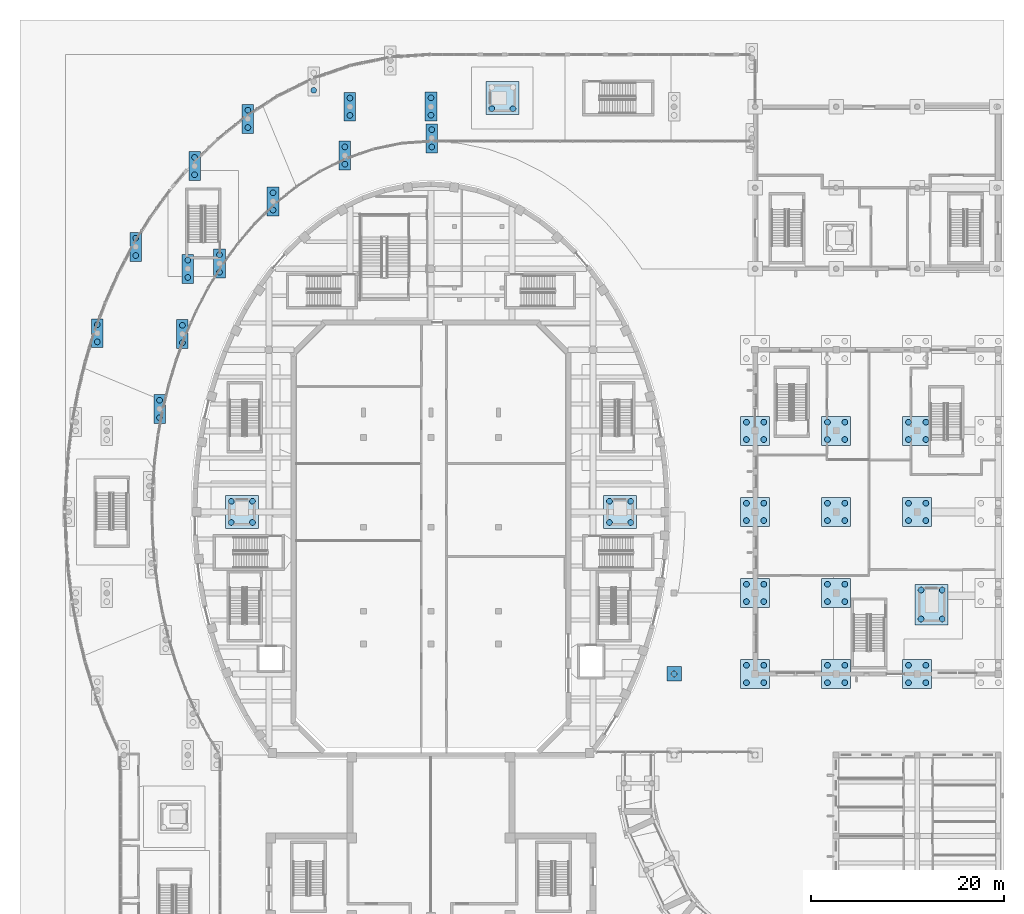
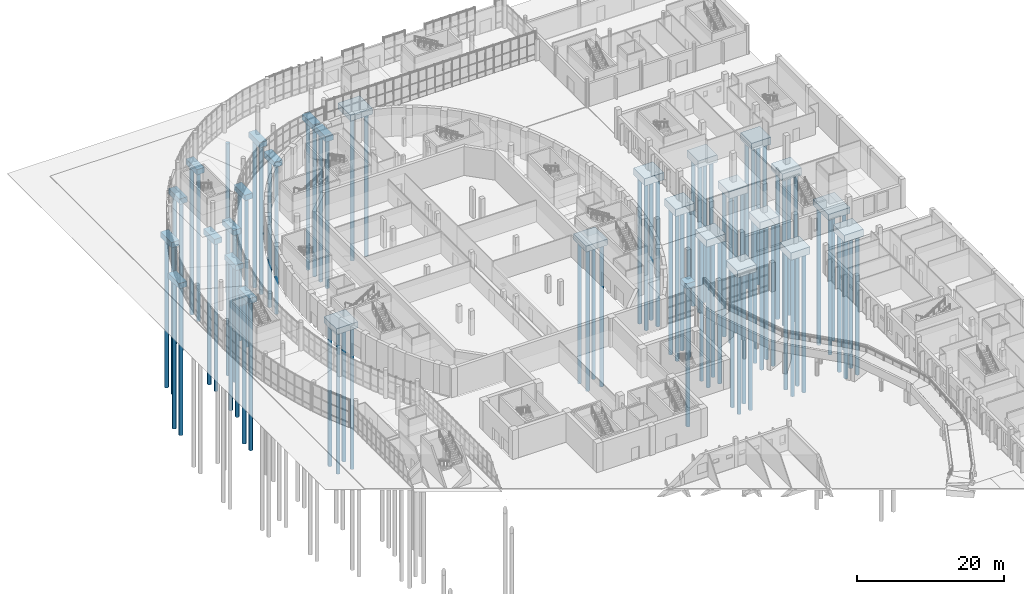
# One storey, part 2 of 110: 86 piles, 29 footings.
"""IFC4 building model written with IfcOpenShell, lengths in metres."""

from ifc_helpers import new_model, si_unit, direction, frame, origin, origin_2d, place, context, subcontext, project, spatial, polyline, circle, outline, extrude, material, material_profile, profile_set, type_object, element, save


model = new_model("IFC4")

# Units and contexts
model_context = context("Model", 3, precision=1e-05, world=origin(), true_north=direction((0.0, 1.0)))
body_context = subcontext(model_context, "Body", "Model", "MODEL_VIEW")
ifc_project = project(units=[si_unit("LENGTHUNIT", "METRE"), si_unit("AREAUNIT", "SQUARE_METRE"), si_unit("VOLUMEUNIT", "CUBIC_METRE"), si_unit("PLANEANGLEUNIT", "RADIAN"), si_unit("MASSUNIT", "GRAM", prefix="KILO")], contexts=[model_context])

# Site, building, storey
site_placement = place(None, origin())
site = spatial("IfcSite", under=ifc_project, at=site_placement, CompositionType="ELEMENT")
building_placement = place(site_placement, origin())
building = spatial("IfcBuilding", under=site, at=building_placement, Name="Larchfold Concert Hall", CompositionType="ELEMENT")
storey_placement = place(building_placement, origin())
storey = spatial("IfcBuildingStorey", under=building, at=storey_placement, Name="L00", CompositionType="ELEMENT", Elevation=0.0)

# Piles
ifc_material_1 = material(Name="Concrete C30/37", Category="concrete")
ifc_material_profile = material_profile(ifc_material_1, circle(Radius=0.300048828125, at=origin_2d()))
ifc_profile_set = profile_set([ifc_material_profile], Name="Concrete C30/37")
pile_type = type_object("IfcPileType", Name="Bored pile D600", PredefinedType="BORED", material=ifc_profile_set)
for number, where, z_axis, x_axis, name in (
    (1, (8.01806640625, 102.220947265625, -1.199951171875), (0.0, 0.0, -1.0), (1.0, 0.0, 0.0), "Pile P0009"),
    (2, (8.01806640625, 104.02099609375, -1.199951171875), (0.0, 0.0, -1.0), (1.0, 0.0, 0.0), "Pile P0010"),
    (3, (11.992919921875, 111.176025390625, -1.199951171875), (0.0, 0.0, -1.0), (1.0, 0.0, 0.0), "Pile P0019"),
    (4, (11.992919921875, 112.97607421875, -1.199951171875), (0.0, 0.0, -1.0), (1.0, 0.0, 0.0), "Pile P0020"),
    (5, (14.467041015625, 94.3701171875, -1.199951171875), (0.0, 0.0, -1.0), (1.0, 0.0, 0.0), "Pile P0025"),
    (6, (14.467041015625, 96.169921875, -1.199951171875), (0.0, 0.0, -1.0), (1.0, 0.0, 0.0), "Pile P0026"),
    (7, (16.8359375, 102.137939453125, -1.199951171875), (0.0, 0.0, -1.0), (1.0, 0.0, 0.0), "Pile P0029"),
    (8, (16.8359375, 103.93798828125, -1.199951171875), (0.0, 0.0, -1.0), (1.0, 0.0, 0.0), "Pile P0030"),
    (9, (17.39990234375, 108.89990234375, -1.199951171875), (0.0, 0.0, -1.0), (1.0, 0.0, 0.0), "Pile P0033"),
    (10, (17.39990234375, 110.699951171875, -1.199951171875), (0.0, 0.0, -1.0), (1.0, 0.0, 0.0), "Pile P0034"),
    (11, (18.096923828125, 119.544921875, -1.199951171875), (0.0, 0.0, -1.0), (1.0, 0.0, 0.0), "Pile P0037"),
    (12, (18.096923828125, 121.344970703125, -1.199951171875), (0.0, 0.0, -1.0), (1.0, 0.0, 0.0), "Pile P0038"),
    (13, (20.677978515625, 109.450927734375, -1.199951171875), (0.0, 0.0, -1.0), (1.0, 0.0, 0.0), "Pile P0043"),
    (14, (20.677978515625, 111.2509765625, -1.199951171875), (0.0, 0.0, -1.0), (1.0, 0.0, 0.0), "Pile P0044"),
    (15, (23.62109375, 124.44091796875, -1.199951171875), (0.0, 0.0, -1.0), (1.0, 0.0, 0.0), "Pile P0045"),
    (16, (23.62109375, 126.240966796875, -1.199951171875), (0.0, 0.0, -1.0), (1.0, 0.0, 0.0), "Pile P0046"),
    (17, (26.22900390625, 115.885986328125, -1.199951171875), (0.0, 0.0, -1.0), (1.0, 0.0, 0.0), "Pile P0047"),
    (18, (26.22900390625, 117.68603515625, -1.199951171875), (0.0, 0.0, -1.0), (1.0, 0.0, 0.0), "Pile P0048"),
    (19, (30.443115234375, 128.298095703125, -1.199951171875), (0.0, 0.0, -1.0), (1.0, 0.0, 0.0), "Pile P0049"),
    (20, (33.676025390625, 120.635009765625, -1.199951171875), (0.0, 0.0, -1.0), (1.0, 0.0, 0.0), "Pile P0051"),
    (21, (33.676025390625, 122.43505859375, -1.199951171875), (0.0, 0.0, -1.0), (1.0, 0.0, 0.0), "Pile P0052"),
    (22, (34.199951171875, 125.699951171875, -1.199951171875), (0.0, 0.0, -1.0), (1.0, 0.0, 0.0), "Pile P0053"),
    (23, (34.199951171875, 127.5, -1.199951171875), (0.0, 0.0, -1.0), (1.0, 0.0, 0.0), "Pile P0054"),
    (24, (42.60009765625, 125.72509765625, -1.199951171875), (0.0, 0.0, -1.0), (1.0, 0.0, 0.0), "Pile P0057"),
    (25, (42.60009765625, 127.52490234375, -1.199951171875), (0.0, 0.0, -1.0), (1.0, 0.0, 0.0), "Pile P0058"),
    (26, (42.68408203125, 122.425048828125, -1.199951171875), (0.0, 0.0, -1.0), (1.0, 0.0, 0.0), "Pile P0059"),
    (27, (42.68408203125, 124.22509765625, -1.199951171875), (0.0, 0.0, -1.0), (1.0, 0.0, 0.0), "Pile P0060"),
):
    element("IfcPile", number, at=place(storey_placement, frame(where, z_axis=z_axis, x_axis=x_axis)), inside=storey, type_object=pile_type, Name=name, PredefinedType="BORED", context=body_context, shape_type="SweptSolid", body=[
        extrude(circle(Radius=0.300048828125, at=origin_2d()), origin(), (0.0, 0.0, 1.0), 24.800048828125),
    ])
pile_1_placement = place(storey_placement, frame((67.800048828125, 67.800048828125, -1.10009765625), z_axis=(0.0, 0.0, -1.0), x_axis=(1.0, 0.0, 0.0)))
element("IfcPile", 28, at=pile_1_placement, inside=storey, type_object=pile_type, Name="Pile P0066", PredefinedType="BORED", context=body_context, shape_type="SweptSolid", body=[
    extrude(circle(Radius=0.300048828125, at=origin_2d()), origin(), (0.0, 0.0, 1.0), 23.510009765625),
])
for number, where, z_axis, x_axis, name in (
    (29, (75.300048828125, 66.89990234375, -1.5), (0.0, 0.0, -1.0), (1.0, 0.0, 0.0), "Pile P0076"),
    (30, (75.300048828125, 68.699951171875, -1.5), (0.0, 0.0, -1.0), (1.0, 0.0, 0.0), "Pile P0077"),
    (31, (77.10009765625, 66.89990234375, -1.5), (0.0, 0.0, -1.0), (1.0, 0.0, 0.0), "Pile P0078"),
    (32, (77.10009765625, 68.699951171875, -1.5), (0.0, 0.0, -1.0), (1.0, 0.0, 0.0), "Pile P0079"),
):
    element("IfcPile", number, at=place(storey_placement, frame(where, z_axis=z_axis, x_axis=x_axis)), inside=storey, type_object=pile_type, Name=name, PredefinedType="BORED", context=body_context, shape_type="SweptSolid", body=[
        extrude(circle(Radius=0.300048828125, at=origin_2d()), origin(), (0.0, 0.0, 1.0), 23.10986328125),
    ])
for number, where, z_axis, x_axis, name in (
    (33, (75.300048828125, 75.300048828125, -1.5), (0.0, 0.0, -1.0), (1.0, 0.0, 0.0), "Pile P0080"),
    (34, (75.300048828125, 77.10009765625, -1.5), (0.0, 0.0, -1.0), (1.0, 0.0, 0.0), "Pile P0081"),
    (35, (77.10009765625, 75.300048828125, -1.5), (0.0, 0.0, -1.0), (1.0, 0.0, 0.0), "Pile P0082"),
    (36, (77.10009765625, 77.10009765625, -1.5), (0.0, 0.0, -1.0), (1.0, 0.0, 0.0), "Pile P0083"),
):
    element("IfcPile", number, at=place(storey_placement, frame(where, z_axis=z_axis, x_axis=x_axis)), inside=storey, type_object=pile_type, Name=name, PredefinedType="BORED", context=body_context, shape_type="SweptSolid", body=[
        extrude(circle(Radius=0.300048828125, at=origin_2d()), origin(), (0.0, 0.0, 1.0), 23.804931640625),
    ])
for number, where, z_axis, x_axis, name in (
    (37, (75.300048828125, 83.699951171875, -1.5), (0.0, 0.0, -1.0), (1.0, 0.0, 0.0), "Pile P0084"),
    (38, (75.300048828125, 85.5, -1.5), (0.0, 0.0, -1.0), (1.0, 0.0, 0.0), "Pile P0085"),
    (39, (77.10009765625, 83.699951171875, -1.5), (0.0, 0.0, -1.0), (1.0, 0.0, 0.0), "Pile P0086"),
    (40, (77.10009765625, 85.5, -1.5), (0.0, 0.0, -1.0), (1.0, 0.0, 0.0), "Pile P0087"),
    (41, (75.300048828125, 92.10009765625, -1.5), (0.0, 0.0, -1.0), (1.0, 0.0, 0.0), "Pile P0088"),
    (42, (75.300048828125, 93.89990234375, -1.5), (0.0, 0.0, -1.0), (1.0, 0.0, 0.0), "Pile P0089"),
    (43, (77.10009765625, 92.10009765625, -1.5), (0.0, 0.0, -1.0), (1.0, 0.0, 0.0), "Pile P0090"),
    (44, (77.10009765625, 93.89990234375, -1.5), (0.0, 0.0, -1.0), (1.0, 0.0, 0.0), "Pile P0091"),
):
    element("IfcPile", number, at=place(storey_placement, frame(where, z_axis=z_axis, x_axis=x_axis)), inside=storey, type_object=pile_type, Name=name, PredefinedType="BORED", context=body_context, shape_type="SweptSolid", body=[
        extrude(circle(Radius=0.300048828125, at=origin_2d()), origin(), (0.0, 0.0, 1.0), 24.5),
    ])
for number, where, z_axis, x_axis, name in (
    (45, (83.699951171875, 66.89990234375, -1.5), (0.0, 0.0, -1.0), (1.0, 0.0, 0.0), "Pile P0101"),
    (46, (83.699951171875, 68.699951171875, -1.5), (0.0, 0.0, -1.0), (1.0, 0.0, 0.0), "Pile P0102"),
    (47, (85.5, 66.89990234375, -1.5), (0.0, 0.0, -1.0), (1.0, 0.0, 0.0), "Pile P0103"),
    (48, (85.5, 68.699951171875, -1.5), (0.0, 0.0, -1.0), (1.0, 0.0, 0.0), "Pile P0104"),
):
    element("IfcPile", number, at=place(storey_placement, frame(where, z_axis=z_axis, x_axis=x_axis)), inside=storey, type_object=pile_type, Name=name, PredefinedType="BORED", context=body_context, shape_type="SweptSolid", body=[
        extrude(circle(Radius=0.300048828125, at=origin_2d()), origin(), (0.0, 0.0, 1.0), 23.10986328125),
    ])
for number, where, z_axis, x_axis, name in (
    (49, (83.699951171875, 75.300048828125, -1.5), (0.0, 0.0, -1.0), (1.0, 0.0, 0.0), "Pile P0105"),
    (50, (83.699951171875, 77.10009765625, -1.5), (0.0, 0.0, -1.0), (1.0, 0.0, 0.0), "Pile P0106"),
    (51, (85.5, 75.300048828125, -1.5), (0.0, 0.0, -1.0), (1.0, 0.0, 0.0), "Pile P0107"),
    (52, (85.5, 77.10009765625, -1.5), (0.0, 0.0, -1.0), (1.0, 0.0, 0.0), "Pile P0108"),
):
    element("IfcPile", number, at=place(storey_placement, frame(where, z_axis=z_axis, x_axis=x_axis)), inside=storey, type_object=pile_type, Name=name, PredefinedType="BORED", context=body_context, shape_type="SweptSolid", body=[
        extrude(circle(Radius=0.300048828125, at=origin_2d()), origin(), (0.0, 0.0, 1.0), 23.804931640625),
    ])
for number, where, z_axis, x_axis, name in (
    (53, (83.699951171875, 83.699951171875, -1.5), (0.0, 0.0, -1.0), (1.0, 0.0, 0.0), "Pile P0109"),
    (54, (83.699951171875, 85.5, -1.5), (0.0, 0.0, -1.0), (1.0, 0.0, 0.0), "Pile P0110"),
    (55, (85.5, 83.699951171875, -1.5), (0.0, 0.0, -1.0), (1.0, 0.0, 0.0), "Pile P0111"),
    (56, (85.5, 85.5, -1.5), (0.0, 0.0, -1.0), (1.0, 0.0, 0.0), "Pile P0112"),
    (57, (83.699951171875, 92.10009765625, -1.5), (0.0, 0.0, -1.0), (1.0, 0.0, 0.0), "Pile P0113"),
    (58, (83.699951171875, 93.89990234375, -1.5), (0.0, 0.0, -1.0), (1.0, 0.0, 0.0), "Pile P0114"),
    (59, (85.5, 92.10009765625, -1.5), (0.0, 0.0, -1.0), (1.0, 0.0, 0.0), "Pile P0115"),
    (60, (85.5, 93.89990234375, -1.5), (0.0, 0.0, -1.0), (1.0, 0.0, 0.0), "Pile P0116"),
):
    element("IfcPile", number, at=place(storey_placement, frame(where, z_axis=z_axis, x_axis=x_axis)), inside=storey, type_object=pile_type, Name=name, PredefinedType="BORED", context=body_context, shape_type="SweptSolid", body=[
        extrude(circle(Radius=0.300048828125, at=origin_2d()), origin(), (0.0, 0.0, 1.0), 24.5),
    ])
for number, where, z_axis, x_axis, name in (
    (61, (92.10009765625, 66.89990234375, -1.5), (0.0, 0.0, -1.0), (1.0, 0.0, 0.0), "Pile P0124"),
    (62, (92.10009765625, 68.699951171875, -1.5), (0.0, 0.0, -1.0), (1.0, 0.0, 0.0), "Pile P0125"),
    (63, (93.89990234375, 66.89990234375, -1.5), (0.0, 0.0, -1.0), (1.0, 0.0, 0.0), "Pile P0126"),
    (64, (93.89990234375, 68.699951171875, -1.5), (0.0, 0.0, -1.0), (1.0, 0.0, 0.0), "Pile P0127"),
):
    element("IfcPile", number, at=place(storey_placement, frame(where, z_axis=z_axis, x_axis=x_axis)), inside=storey, type_object=pile_type, Name=name, PredefinedType="BORED", context=body_context, shape_type="SweptSolid", body=[
        extrude(circle(Radius=0.300048828125, at=origin_2d()), origin(), (0.0, 0.0, 1.0), 23.10986328125),
    ])
for number, where, z_axis, x_axis, name in (
    (65, (92.10009765625, 83.699951171875, -1.5), (0.0, 0.0, -1.0), (1.0, 0.0, 0.0), "Pile P0128"),
    (66, (92.10009765625, 85.5, -1.5), (0.0, 0.0, -1.0), (1.0, 0.0, 0.0), "Pile P0129"),
    (67, (93.89990234375, 83.699951171875, -1.5), (0.0, 0.0, -1.0), (1.0, 0.0, 0.0), "Pile P0130"),
    (68, (93.89990234375, 85.5, -1.5), (0.0, 0.0, -1.0), (1.0, 0.0, 0.0), "Pile P0131"),
    (69, (92.10009765625, 92.10009765625, -1.5), (0.0, 0.0, -1.0), (1.0, 0.0, 0.0), "Pile P0132"),
    (70, (92.10009765625, 93.89990234375, -1.5), (0.0, 0.0, -1.0), (1.0, 0.0, 0.0), "Pile P0133"),
    (71, (93.89990234375, 92.10009765625, -1.5), (0.0, 0.0, -1.0), (1.0, 0.0, 0.0), "Pile P0134"),
    (72, (93.89990234375, 93.89990234375, -1.5), (0.0, 0.0, -1.0), (1.0, 0.0, 0.0), "Pile P0135"),
):
    element("IfcPile", number, at=place(storey_placement, frame(where, z_axis=z_axis, x_axis=x_axis)), inside=storey, type_object=pile_type, Name=name, PredefinedType="BORED", context=body_context, shape_type="SweptSolid", body=[
        extrude(circle(Radius=0.300048828125, at=origin_2d()), origin(), (0.0, 0.0, 1.0), 24.5),
    ])
pile_2_placement = place(storey_placement, frame((61.10009765625, 83.5, -2.300048828125), z_axis=(0.0, 0.0, -1.0), x_axis=(1.0, 0.0, 0.0)))
element("IfcPile", 73, at=pile_2_placement, inside=storey, type_object=pile_type, Name="Pile P0166", PredefinedType="BORED", context=body_context, shape_type="SweptSolid", body=[
    extrude(circle(Radius=0.300048828125, at=origin_2d()), origin(), (0.0, 0.0, 1.0), 23.60888671875),
])
pile_3_placement = place(storey_placement, frame((61.10009765625, 85.699951171875, -2.300048828125), z_axis=(0.0, 0.0, -1.0), x_axis=(1.0, 0.0, 0.0)))
element("IfcPile", 74, at=pile_3_placement, inside=storey, type_object=pile_type, Name="Pile P0167", PredefinedType="BORED", context=body_context, shape_type="SweptSolid", body=[
    extrude(circle(Radius=0.300048828125, at=origin_2d()), origin(), (0.0, 0.0, 1.0), 23.699951171875),
])
pile_4_placement = place(storey_placement, frame((63.300048828125, 83.5, -2.300048828125), z_axis=(0.0, 0.0, -1.0), x_axis=(1.0, 0.0, 0.0)))
element("IfcPile", 75, at=pile_4_placement, inside=storey, type_object=pile_type, Name="Pile P0168", PredefinedType="BORED", context=body_context, shape_type="SweptSolid", body=[
    extrude(circle(Radius=0.300048828125, at=origin_2d()), origin(), (0.0, 0.0, 1.0), 23.60888671875),
])
pile_5_placement = place(storey_placement, frame((63.300048828125, 85.699951171875, -2.300048828125), z_axis=(0.0, 0.0, -1.0), x_axis=(1.0, 0.0, 0.0)))
element("IfcPile", 76, at=pile_5_placement, inside=storey, type_object=pile_type, Name="Pile P0169", PredefinedType="BORED", context=body_context, shape_type="SweptSolid", body=[
    extrude(circle(Radius=0.300048828125, at=origin_2d()), origin(), (0.0, 0.0, 1.0), 23.699951171875),
])
pile_6_placement = place(storey_placement, frame((21.900146484375, 83.5, -2.300048828125), z_axis=(0.0, 0.0, -1.0), x_axis=(1.0, 0.0, 0.0)))
element("IfcPile", 77, at=pile_6_placement, inside=storey, type_object=pile_type, Name="Pile P0170", PredefinedType="BORED", context=body_context, shape_type="SweptSolid", body=[
    extrude(circle(Radius=0.300048828125, at=origin_2d()), origin(), (0.0, 0.0, 1.0), 23.60888671875),
])
pile_7_placement = place(storey_placement, frame((21.900146484375, 85.699951171875, -2.300048828125), z_axis=(0.0, 0.0, -1.0), x_axis=(1.0, 0.0, 0.0)))
element("IfcPile", 78, at=pile_7_placement, inside=storey, type_object=pile_type, Name="Pile P0171", PredefinedType="BORED", context=body_context, shape_type="SweptSolid", body=[
    extrude(circle(Radius=0.300048828125, at=origin_2d()), origin(), (0.0, 0.0, 1.0), 23.699951171875),
])
pile_8_placement = place(storey_placement, frame((24.10009765625, 83.5, -2.300048828125), z_axis=(0.0, 0.0, -1.0), x_axis=(1.0, 0.0, 0.0)))
element("IfcPile", 79, at=pile_8_placement, inside=storey, type_object=pile_type, Name="Pile P0172", PredefinedType="BORED", context=body_context, shape_type="SweptSolid", body=[
    extrude(circle(Radius=0.300048828125, at=origin_2d()), origin(), (0.0, 0.0, 1.0), 23.60888671875),
])
pile_9_placement = place(storey_placement, frame((24.10009765625, 85.699951171875, -2.300048828125), z_axis=(0.0, 0.0, -1.0), x_axis=(1.0, 0.0, 0.0)))
element("IfcPile", 80, at=pile_9_placement, inside=storey, type_object=pile_type, Name="Pile P0173", PredefinedType="BORED", context=body_context, shape_type="SweptSolid", body=[
    extrude(circle(Radius=0.300048828125, at=origin_2d()), origin(), (0.0, 0.0, 1.0), 23.699951171875),
])
pile_10_placement = place(storey_placement, frame((93.400146484375, 73.5, -2.300048828125), z_axis=(0.0, 0.0, -1.0), x_axis=(1.0, 0.0, 0.0)))
element("IfcPile", 81, at=pile_10_placement, inside=storey, type_object=pile_type, Name="Pile P0174", PredefinedType="BORED", context=body_context, shape_type="SweptSolid", body=[
    extrude(circle(Radius=0.300048828125, at=origin_2d()), origin(), (0.0, 0.0, 1.0), 22.781494140625),
])
pile_11_placement = place(storey_placement, frame((93.400146484375, 76.5, -2.300048828125), z_axis=(0.0, 0.0, -1.0), x_axis=(1.0, 0.0, 0.0)))
element("IfcPile", 82, at=pile_11_placement, inside=storey, type_object=pile_type, Name="Pile P0175", PredefinedType="BORED", context=body_context, shape_type="SweptSolid", body=[
    extrude(circle(Radius=0.300048828125, at=origin_2d()), origin(), (0.0, 0.0, 1.0), 23.02978515625),
])
pile_12_placement = place(storey_placement, frame((95.60009765625, 73.5, -2.300048828125), z_axis=(0.0, 0.0, -1.0), x_axis=(1.0, 0.0, 0.0)))
element("IfcPile", 83, at=pile_12_placement, inside=storey, type_object=pile_type, Name="Pile P0176", PredefinedType="BORED", context=body_context, shape_type="SweptSolid", body=[
    extrude(circle(Radius=0.300048828125, at=origin_2d()), origin(), (0.0, 0.0, 1.0), 22.781494140625),
])
pile_13_placement = place(storey_placement, frame((95.60009765625, 76.5, -2.300048828125), z_axis=(0.0, 0.0, -1.0), x_axis=(1.0, 0.0, 0.0)))
element("IfcPile", 84, at=pile_13_placement, inside=storey, type_object=pile_type, Name="Pile P0177", PredefinedType="BORED", context=body_context, shape_type="SweptSolid", body=[
    extrude(circle(Radius=0.300048828125, at=origin_2d()), origin(), (0.0, 0.0, 1.0), 23.02978515625),
])
for number, where, z_axis, x_axis, name in (
    (85, (48.900146484375, 126.400146484375, -2.300048828125), (0.0, 0.0, -1.0), (1.0, 0.0, 0.0), "Pile P0186"),
    (86, (51.10009765625, 126.400146484375, -2.300048828125), (0.0, 0.0, -1.0), (1.0, 0.0, 0.0), "Pile P0188"),
):
    element("IfcPile", number, at=place(storey_placement, frame(where, z_axis=z_axis, x_axis=x_axis)), inside=storey, type_object=pile_type, Name=name, PredefinedType="BORED", context=body_context, shape_type="SweptSolid", body=[
        extrude(circle(Radius=0.300048828125, at=origin_2d()), origin(), (0.0, 0.0, 1.0), 23.699951171875),
    ])

# Footings
ifc_material_2 = material(Name="Concrete C30/37", Category="concrete")
footing_type_1 = type_object("IfcFootingType", Name="Pad footing 3400x3400x1000", PredefinedType="PAD_FOOTING", material=ifc_material_2)
footing_1_placement = place(storey_placement, frame((0.0, 0.0, -2.39990234375)))
element("IfcFooting", 87, at=footing_1_placement, inside=storey, type_object=footing_type_1, Name="Pit footing PC0076", PredefinedType="PAD_FOOTING", context=body_context, shape_type="SweptSolid", body=[
    extrude(outline(polyline([(63.900146484375, 82.89990234375), (63.900146484375, 86.300048828125), (60.5, 86.300048828125), (60.5, 82.89990234375), (63.900146484375, 82.89990234375)])), origin(), (0.0, 0.0, 1.0), 1.0),
])
footing_2_placement = place(storey_placement, frame((0.0, 0.0, -2.39990234375)))
element("IfcFooting", 88, at=footing_2_placement, inside=storey, type_object=footing_type_1, Name="Pit footing PC0077", PredefinedType="PAD_FOOTING", context=body_context, shape_type="SweptSolid", body=[
    extrude(outline(polyline([(24.7001953125, 82.89990234375), (24.7001953125, 86.300048828125), (21.300048828125, 86.300048828125), (21.300048828125, 82.89990234375), (24.7001953125, 82.89990234375)])), origin(), (0.0, 0.0, 1.0), 1.0),
])
footing_3_placement = place(storey_placement, frame((0.0, 0.0, -2.39990234375)))
element("IfcFooting", 89, at=footing_3_placement, inside=storey, type_object=footing_type_1, Name="Pit footing PC0081", PredefinedType="PAD_FOOTING", context=body_context, shape_type="SweptSolid", body=[
    extrude(outline(polyline([(51.7001953125, 125.800048828125), (51.7001953125, 129.2001953125), (48.300048828125, 129.2001953125), (48.300048828125, 125.800048828125), (51.7001953125, 125.800048828125)])), origin(), (0.0, 0.0, 1.0), 1.0),
])
ifc_material_3 = material(Name="Concrete C30/37", Category="concrete")
footing_type_2 = type_object("IfcFootingType", Name="Pad footing 3400x4200x1000", PredefinedType="PAD_FOOTING", material=ifc_material_3)
footing_4_placement = place(storey_placement, frame((0.0, 0.0, -2.39990234375)))
element("IfcFooting", 90, at=footing_4_placement, inside=storey, type_object=footing_type_2, Name="Pit footing PC0078", PredefinedType="PAD_FOOTING", context=body_context, shape_type="SweptSolid", body=[
    extrude(outline(polyline([(96.2001953125, 72.89990234375), (96.2001953125, 77.099853515625), (92.800048828125, 77.099853515625), (92.800048828125, 72.89990234375), (96.2001953125, 72.89990234375)])), origin(), (0.0, 0.0, 1.0), 1.0),
])
ifc_material_4 = material(Name="Concrete C30/37", Category="concrete")
footing_type_3 = type_object("IfcFootingType", Name="Pile cap 1200x3000x900", PredefinedType="PILE_CAP", material=ifc_material_4)
footing_5_placement = place(storey_placement, frame((0.0, 0.0, -1.300048828125)))
element("IfcFooting", 91, at=footing_5_placement, inside=storey, type_object=footing_type_3, Name="Pile cap PC0005", PredefinedType="PILE_CAP", context=body_context, shape_type="SweptSolid", body=[
    extrude(outline(polyline([(8.617919921875, 101.62109375), (8.617919921875, 104.62109375), (7.41796875, 104.62109375), (7.41796875, 101.62109375), (8.617919921875, 101.62109375)])), origin(), (0.0, 0.0, 1.0), 0.900146484375),
])
footing_6_placement = place(storey_placement, frame((0.0, 0.0, -1.300048828125)))
element("IfcFooting", 92, at=footing_6_placement, inside=storey, type_object=footing_type_3, Name="Pile cap PC0010", PredefinedType="PILE_CAP", context=body_context, shape_type="SweptSolid", body=[
    extrude(outline(polyline([(12.593017578125, 110.575927734375), (12.593017578125, 113.575927734375), (11.39306640625, 113.575927734375), (11.39306640625, 110.575927734375), (12.593017578125, 110.575927734375)])), origin(), (0.0, 0.0, 1.0), 0.900146484375),
])
footing_7_placement = place(storey_placement, frame((0.0, 0.0, -1.300048828125)))
element("IfcFooting", 93, at=footing_7_placement, inside=storey, type_object=footing_type_3, Name="Pile cap PC0013", PredefinedType="PILE_CAP", context=body_context, shape_type="SweptSolid", body=[
    extrude(outline(polyline([(15.06689453125, 93.77001953125), (15.06689453125, 96.77001953125), (13.866943359375, 96.77001953125), (13.866943359375, 93.77001953125), (15.06689453125, 93.77001953125)])), origin(), (0.0, 0.0, 1.0), 0.900146484375),
])
footing_8_placement = place(storey_placement, frame((0.0, 0.0, -1.300048828125)))
element("IfcFooting", 94, at=footing_8_placement, inside=storey, type_object=footing_type_3, Name="Pile cap PC0015", PredefinedType="PILE_CAP", context=body_context, shape_type="SweptSolid", body=[
    extrude(outline(polyline([(17.43603515625, 101.5380859375), (17.43603515625, 104.5380859375), (16.236083984375, 104.5380859375), (16.236083984375, 101.5380859375), (17.43603515625, 101.5380859375)])), origin(), (0.0, 0.0, 1.0), 0.900146484375),
])
footing_9_placement = place(storey_placement, frame((0.0, 0.0, -1.300048828125)))
element("IfcFooting", 95, at=footing_9_placement, inside=storey, type_object=footing_type_3, Name="Pile cap PC0017", PredefinedType="PILE_CAP", context=body_context, shape_type="SweptSolid", body=[
    extrude(outline(polyline([(18.0, 108.300048828125), (18.0, 111.300048828125), (16.800048828125, 111.300048828125), (16.800048828125, 108.300048828125), (18.0, 108.300048828125)])), origin(), (0.0, 0.0, 1.0), 0.900146484375),
])
footing_10_placement = place(storey_placement, frame((0.0, 0.0, -1.300048828125)))
element("IfcFooting", 96, at=footing_10_placement, inside=storey, type_object=footing_type_3, Name="Pile cap PC0019", PredefinedType="PILE_CAP", context=body_context, shape_type="SweptSolid", body=[
    extrude(outline(polyline([(18.697021484375, 118.945068359375), (18.697021484375, 121.945068359375), (17.4970703125, 121.945068359375), (17.4970703125, 118.945068359375), (18.697021484375, 118.945068359375)])), origin(), (0.0, 0.0, 1.0), 0.900146484375),
])
footing_11_placement = place(storey_placement, frame((0.0, 0.0, -1.300048828125)))
element("IfcFooting", 97, at=footing_11_placement, inside=storey, type_object=footing_type_3, Name="Pile cap PC0022", PredefinedType="PILE_CAP", context=body_context, shape_type="SweptSolid", body=[
    extrude(outline(polyline([(21.278076171875, 108.85107421875), (21.278076171875, 111.85107421875), (20.077880859375, 111.85107421875), (20.077880859375, 108.85107421875), (21.278076171875, 108.85107421875)])), origin(), (0.0, 0.0, 1.0), 0.900146484375),
])
footing_12_placement = place(storey_placement, frame((0.0, 0.0, -1.300048828125)))
element("IfcFooting", 98, at=footing_12_placement, inside=storey, type_object=footing_type_3, Name="Pile cap PC0023", PredefinedType="PILE_CAP", context=body_context, shape_type="SweptSolid", body=[
    extrude(outline(polyline([(24.220947265625, 123.841064453125), (24.220947265625, 126.841064453125), (23.02099609375, 126.841064453125), (23.02099609375, 123.841064453125), (24.220947265625, 123.841064453125)])), origin(), (0.0, 0.0, 1.0), 0.900146484375),
])
footing_13_placement = place(storey_placement, frame((0.0, 0.0, -1.300048828125)))
element("IfcFooting", 99, at=footing_13_placement, inside=storey, type_object=footing_type_3, Name="Pile cap PC0024", PredefinedType="PILE_CAP", context=body_context, shape_type="SweptSolid", body=[
    extrude(outline(polyline([(26.8291015625, 115.285888671875), (26.8291015625, 118.285888671875), (25.62890625, 118.285888671875), (25.62890625, 115.285888671875), (26.8291015625, 115.285888671875)])), origin(), (0.0, 0.0, 1.0), 0.900146484375),
])
footing_14_placement = place(storey_placement, frame((0.0, 0.0, -1.300048828125)))
element("IfcFooting", 100, at=footing_14_placement, inside=storey, type_object=footing_type_3, Name="Pile cap PC0026", PredefinedType="PILE_CAP", context=body_context, shape_type="SweptSolid", body=[
    extrude(outline(polyline([(34.27587890625, 120.034912109375), (34.27587890625, 123.034912109375), (33.075927734375, 123.034912109375), (33.075927734375, 120.034912109375), (34.27587890625, 120.034912109375)])), origin(), (0.0, 0.0, 1.0), 0.900146484375),
])
footing_15_placement = place(storey_placement, frame((0.0, 0.0, -1.300048828125)))
element("IfcFooting", 101, at=footing_15_placement, inside=storey, type_object=footing_type_3, Name="Pile cap PC0027", PredefinedType="PILE_CAP", context=body_context, shape_type="SweptSolid", body=[
    extrude(outline(polyline([(34.800048828125, 125.10009765625), (34.800048828125, 128.10009765625), (33.60009765625, 128.10009765625), (33.60009765625, 125.10009765625), (34.800048828125, 125.10009765625)])), origin(), (0.0, 0.0, 1.0), 0.900146484375),
])
footing_16_placement = place(storey_placement, frame((0.0, 0.0, -1.300048828125)))
element("IfcFooting", 102, at=footing_16_placement, inside=storey, type_object=footing_type_3, Name="Pile cap PC0029", PredefinedType="PILE_CAP", context=body_context, shape_type="SweptSolid", body=[
    extrude(outline(polyline([(43.199951171875, 125.125), (43.199951171875, 128.125), (42.0, 128.125), (42.0, 125.125), (43.199951171875, 125.125)])), origin(), (0.0, 0.0, 1.0), 0.900146484375),
])
footing_17_placement = place(storey_placement, frame((0.0, 0.0, -1.300048828125)))
element("IfcFooting", 103, at=footing_17_placement, inside=storey, type_object=footing_type_3, Name="Pile cap PC0030", PredefinedType="PILE_CAP", context=body_context, shape_type="SweptSolid", body=[
    extrude(outline(polyline([(43.283935546875, 121.824951171875), (43.283935546875, 124.824951171875), (42.083984375, 124.824951171875), (42.083984375, 121.824951171875), (43.283935546875, 121.824951171875)])), origin(), (0.0, 0.0, 1.0), 0.900146484375),
])
ifc_material_5 = material(Name="Concrete C30/37", Category="concrete")
footing_type_4 = type_object("IfcFootingType", Name="Pile cap 1500x1500x800", PredefinedType="PILE_CAP", material=ifc_material_5)
footing_18_placement = place(storey_placement, frame((0.0, 0.0, -1.199951171875)))
element("IfcFooting", 104, at=footing_18_placement, inside=storey, type_object=footing_type_4, Name="Pile cap PC0036", PredefinedType="PILE_CAP", context=body_context, shape_type="SweptSolid", body=[
    extrude(outline(polyline([(68.550048828125, 67.050048828125), (68.550048828125, 68.550048828125), (67.050048828125, 68.550048828125), (67.050048828125, 67.050048828125), (68.550048828125, 67.050048828125)])), origin(), (0.0, 0.0, 1.0), 0.800048828125),
])
ifc_material_6 = material(Name="Concrete C30/37", Category="concrete")
footing_type_5 = type_object("IfcFootingType", Name="Pile cap 3000x3000x1200", PredefinedType="PILE_CAP", material=ifc_material_6)
footing_19_placement = place(storey_placement, frame((0.0, 0.0, -1.60009765625)))
element("IfcFooting", 105, at=footing_19_placement, inside=storey, type_object=footing_type_5, Name="Pile cap PC0043", PredefinedType="PILE_CAP", context=body_context, shape_type="SweptSolid", body=[
    extrude(outline(polyline([(77.699951171875, 66.300048828125), (77.699951171875, 69.300048828125), (74.699951171875, 69.300048828125), (74.699951171875, 66.300048828125), (77.699951171875, 66.300048828125)])), origin(), (0.0, 0.0, 1.0), 1.2001953125),
])
footing_20_placement = place(storey_placement, frame((0.0, 0.0, -1.60009765625)))
element("IfcFooting", 106, at=footing_20_placement, inside=storey, type_object=footing_type_5, Name="Pile cap PC0044", PredefinedType="PILE_CAP", context=body_context, shape_type="SweptSolid", body=[
    extrude(outline(polyline([(77.699951171875, 74.699951171875), (77.699951171875, 77.699951171875), (74.699951171875, 77.699951171875), (74.699951171875, 74.699951171875), (77.699951171875, 74.699951171875)])), origin(), (0.0, 0.0, 1.0), 1.2001953125),
])
footing_21_placement = place(storey_placement, frame((0.0, 0.0, -1.60009765625)))
element("IfcFooting", 107, at=footing_21_placement, inside=storey, type_object=footing_type_5, Name="Pile cap PC0045", PredefinedType="PILE_CAP", context=body_context, shape_type="SweptSolid", body=[
    extrude(outline(polyline([(77.699951171875, 83.10009765625), (77.699951171875, 86.10009765625), (74.699951171875, 86.10009765625), (74.699951171875, 83.10009765625), (77.699951171875, 83.10009765625)])), origin(), (0.0, 0.0, 1.0), 1.2001953125),
])
footing_22_placement = place(storey_placement, frame((0.0, 0.0, -1.60009765625)))
element("IfcFooting", 108, at=footing_22_placement, inside=storey, type_object=footing_type_5, Name="Pile cap PC0046", PredefinedType="PILE_CAP", context=body_context, shape_type="SweptSolid", body=[
    extrude(outline(polyline([(77.699951171875, 91.5), (77.699951171875, 94.5), (74.699951171875, 94.5), (74.699951171875, 91.5), (77.699951171875, 91.5)])), origin(), (0.0, 0.0, 1.0), 1.2001953125),
])
footing_23_placement = place(storey_placement, frame((0.0, 0.0, -1.60009765625)))
element("IfcFooting", 109, at=footing_23_placement, inside=storey, type_object=footing_type_5, Name="Pile cap PC0053", PredefinedType="PILE_CAP", context=body_context, shape_type="SweptSolid", body=[
    extrude(outline(polyline([(86.10009765625, 66.300048828125), (86.10009765625, 69.300048828125), (83.10009765625, 69.300048828125), (83.10009765625, 66.300048828125), (86.10009765625, 66.300048828125)])), origin(), (0.0, 0.0, 1.0), 1.2001953125),
])
footing_24_placement = place(storey_placement, frame((0.0, 0.0, -1.60009765625)))
element("IfcFooting", 110, at=footing_24_placement, inside=storey, type_object=footing_type_5, Name="Pile cap PC0054", PredefinedType="PILE_CAP", context=body_context, shape_type="SweptSolid", body=[
    extrude(outline(polyline([(86.10009765625, 74.699951171875), (86.10009765625, 77.699951171875), (83.10009765625, 77.699951171875), (83.10009765625, 74.699951171875), (86.10009765625, 74.699951171875)])), origin(), (0.0, 0.0, 1.0), 1.2001953125),
])
footing_25_placement = place(storey_placement, frame((0.0, 0.0, -1.60009765625)))
element("IfcFooting", 111, at=footing_25_placement, inside=storey, type_object=footing_type_5, Name="Pile cap PC0055", PredefinedType="PILE_CAP", context=body_context, shape_type="SweptSolid", body=[
    extrude(outline(polyline([(86.10009765625, 83.10009765625), (86.10009765625, 86.10009765625), (83.10009765625, 86.10009765625), (83.10009765625, 83.10009765625), (86.10009765625, 83.10009765625)])), origin(), (0.0, 0.0, 1.0), 1.2001953125),
])
footing_26_placement = place(storey_placement, frame((0.0, 0.0, -1.60009765625)))
element("IfcFooting", 112, at=footing_26_placement, inside=storey, type_object=footing_type_5, Name="Pile cap PC0056", PredefinedType="PILE_CAP", context=body_context, shape_type="SweptSolid", body=[
    extrude(outline(polyline([(86.10009765625, 91.5), (86.10009765625, 94.5), (83.10009765625, 94.5), (83.10009765625, 91.5), (86.10009765625, 91.5)])), origin(), (0.0, 0.0, 1.0), 1.2001953125),
])
footing_27_placement = place(storey_placement, frame((0.0, 0.0, -1.60009765625)))
element("IfcFooting", 113, at=footing_27_placement, inside=storey, type_object=footing_type_5, Name="Pile cap PC0061", PredefinedType="PILE_CAP", context=body_context, shape_type="SweptSolid", body=[
    extrude(outline(polyline([(94.5, 66.300048828125), (94.5, 69.300048828125), (91.5, 69.300048828125), (91.5, 66.300048828125), (94.5, 66.300048828125)])), origin(), (0.0, 0.0, 1.0), 1.2001953125),
])
footing_28_placement = place(storey_placement, frame((0.0, 0.0, -1.60009765625)))
element("IfcFooting", 114, at=footing_28_placement, inside=storey, type_object=footing_type_5, Name="Pile cap PC0062", PredefinedType="PILE_CAP", context=body_context, shape_type="SweptSolid", body=[
    extrude(outline(polyline([(94.5, 83.10009765625), (94.5, 86.10009765625), (91.5, 86.10009765625), (91.5, 83.10009765625), (94.5, 83.10009765625)])), origin(), (0.0, 0.0, 1.0), 1.2001953125),
])
footing_29_placement = place(storey_placement, frame((0.0, 0.0, -1.60009765625)))
element("IfcFooting", 115, at=footing_29_placement, inside=storey, type_object=footing_type_5, Name="Pile cap PC0063", PredefinedType="PILE_CAP", context=body_context, shape_type="SweptSolid", body=[
    extrude(outline(polyline([(94.5, 91.5), (94.5, 94.5), (91.5, 94.5), (91.5, 91.5), (94.5, 91.5)])), origin(), (0.0, 0.0, 1.0), 1.2001953125),
])

save(model, "model.ifc")
